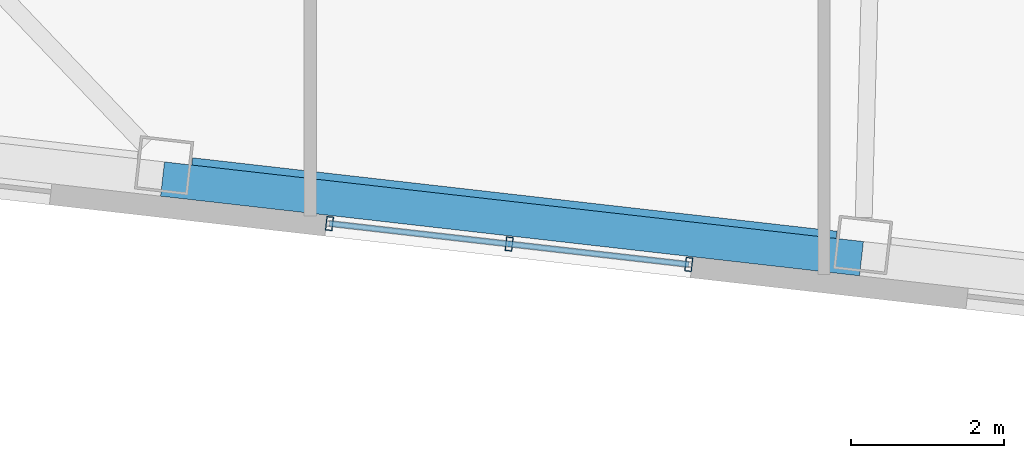
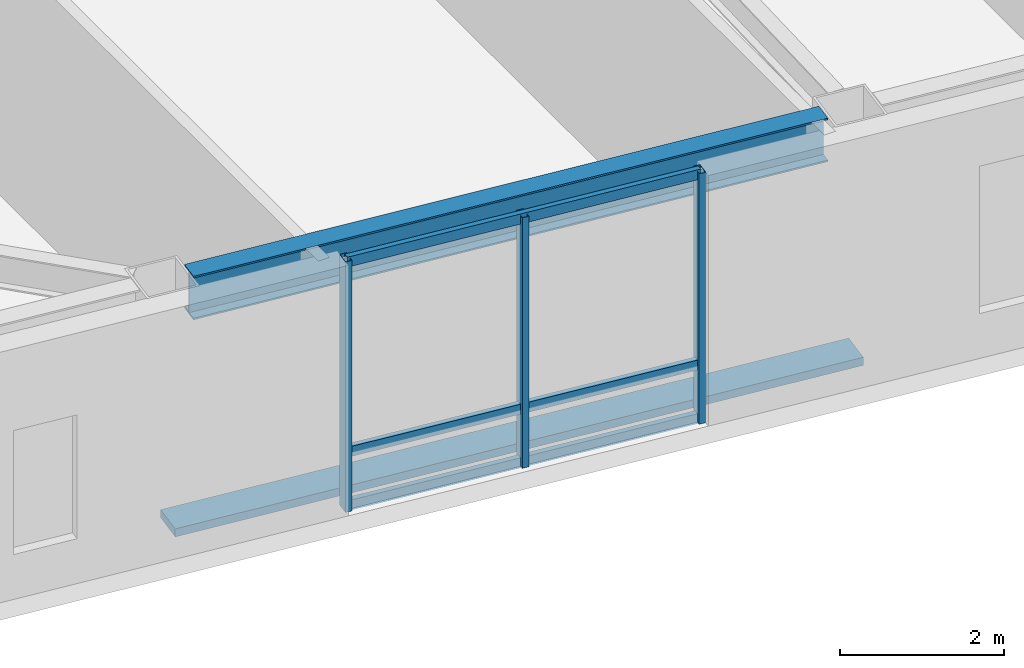
# One storey, part 2 of 21: 7 members, 1 beam, 1 element without a shape of its own.
"""IFC4 building model written with IfcOpenShell, lengths in metres."""

from ifc_helpers import new_model, si_unit, direction, frame, origin, origin_2d, place, context, subcontext, project, spatial, rectangle, hollow_rectangle, i_section, extrude, material, layer, layer_set, material_profile, profile_set, type_object, element, aggregate, save


model = new_model("IFC4")

# Units and contexts
model_context = context("Model", 3, precision=1e-05, world=origin(), true_north=direction((0.0, 1.0)))
body_context = subcontext(model_context, "Body", "Model", "MODEL_VIEW")
ifc_project = project(units=[si_unit("LENGTHUNIT", "METRE"), si_unit("AREAUNIT", "SQUARE_METRE"), si_unit("VOLUMEUNIT", "CUBIC_METRE"), si_unit("PLANEANGLEUNIT", "RADIAN"), si_unit("MASSUNIT", "GRAM", prefix="KILO")], contexts=[model_context])

# Site, building, storey
site_placement = place(None, origin())
site = spatial("IfcSite", under=ifc_project, at=site_placement, CompositionType="ELEMENT")
building_placement = place(site_placement, origin())
building = spatial("IfcBuilding", under=site, at=building_placement, Name="Tavrogorsk Clinical Tower", CompositionType="ELEMENT")
storey_placement = place(building_placement, frame((0.0, 0.0, 133.39990234375)))
storey = spatial("IfcBuildingStorey", under=building, at=storey_placement, Name="L30", CompositionType="ELEMENT", Elevation=133.39990234375)

# Member
ifc_material_1 = material(Name="Anodised aluminium alloy AW-6063", Category="aluminium")
ifc_material_profile_1 = material_profile(ifc_material_1, rectangle(XDim=0.449951171875, YDim=0.1201171875, at=origin_2d()), Name="ALU-SUNSHADE-450x120")
ifc_profile_set_1 = profile_set([ifc_material_profile_1], Name="Anodised aluminium alloy AW-6063")
member_type_1 = type_object("IfcMemberType", Name="ChicagoSunshade_450x120", PredefinedType="USERDEFINED", material=ifc_profile_set_1)
member_1_placement = place(storey_placement, frame((-14.028076171875, -24.385498046875, 0.18017578125), z_axis=(0.993572654864, -0.113196199166, 0.0), x_axis=(0.113196199166, 0.993572654864, 0.0)))
element("IfcMember", 1, at=member_1_placement, inside=storey, type_object=member_type_1, Name="L30 South Aluminium Sunshade S3", ObjectType="SUNSHADE", PredefinedType="USERDEFINED", context=body_context, shape_type="SweptSolid", body=[
    extrude(rectangle(XDim=0.449951171875, YDim=0.1201171875, at=origin_2d()), origin(), (0.0, 0.0, 1.0), 9.17724609375),
])

# Curtain wall, members
ifc_material_2 = material(Name="Anodised aluminium and triple IGU glazing", Category="aluminium")
ifc_layer = layer(ifc_material_2, 0.179931640625)
ifc_layer_set = layer_set([ifc_layer], Name="Anodised aluminium and triple IGU glazing")
curtain_wall_type = type_object("IfcCurtainWallType", Name="CW3_SouthSlot", PredefinedType="NOTDEFINED", material=ifc_layer_set)
curtain_wall_placement = place(storey_placement, origin())
curtain_wall = element("IfcCurtainWall", 2, at=curtain_wall_placement, inside=storey, type_object=curtain_wall_type, Name="L30 Curtain Wall CW-L30-S-SLOT-1", PredefinedType="NOTDEFINED")
ifc_material_3 = material(Name="Anodised aluminium alloy AW-6060", Category="aluminium")
ifc_material_profile_2 = material_profile(ifc_material_3, hollow_rectangle(XDim=0.090087890625, YDim=0.179931640625, WallThickness=0.00634765625, at=origin_2d()), Name="RHS-180x90x6.3")
ifc_profile_set_2 = profile_set([ifc_material_profile_2], Name="Anodised aluminium alloy AW-6060")
member_type_2 = type_object("IfcMemberType", Name="CwMullion_180x90", PredefinedType="MULLION", material=ifc_profile_set_2)
member_2_placement = place(storey_placement, frame((-11.850341796875, -24.9658203125, 0.0), z_axis=(0.0, 0.0, 1.0), x_axis=(0.993571855603, -0.11320321441, 0.0)))
member_2 = element("IfcMember", 3, at=member_2_placement, type_object=member_type_2, Name="CW-L30-S-SLOT-1 Mullion 1", PredefinedType="MULLION", context=body_context, shape_type="SweptSolid", body=[
    extrude(hollow_rectangle(XDim=0.090087890625, YDim=0.179931640625, WallThickness=0.00634765625, at=origin_2d()), origin(), (0.0, 0.0, 1.0), 3.739990234375),
])
member_3_placement = place(storey_placement, frame((-9.50634765625, -25.23291015625, 0.0), z_axis=(0.0, 0.0, 1.0), x_axis=(0.993571855603, -0.11320321441, 0.0)))
member_3 = element("IfcMember", 4, at=member_3_placement, type_object=member_type_2, Name="CW-L30-S-SLOT-1 Mullion 2", PredefinedType="MULLION", context=body_context, shape_type="SweptSolid", body=[
    extrude(hollow_rectangle(XDim=0.090087890625, YDim=0.179931640625, WallThickness=0.00634765625, at=origin_2d()), origin(), (0.0, 0.0, 1.0), 3.739990234375),
])
member_4_placement = place(storey_placement, frame((-7.16259765625, -25.499755859375, 0.0), z_axis=(0.0, 0.0, 1.0), x_axis=(0.993571855603, -0.11320321441, 0.0)))
member_4 = element("IfcMember", 5, at=member_4_placement, type_object=member_type_2, Name="CW-L30-S-SLOT-1 Mullion 3", PredefinedType="MULLION", context=body_context, shape_type="SweptSolid", body=[
    extrude(hollow_rectangle(XDim=0.090087890625, YDim=0.179931640625, WallThickness=0.00634765625, at=origin_2d()), origin(), (0.0, 0.0, 1.0), 3.739990234375),
])
ifc_material_4 = material(Name="Anodised aluminium alloy AW-6060", Category="aluminium")
ifc_material_profile_3 = material_profile(ifc_material_4, hollow_rectangle(XDim=0.074951171875, YDim=0.14990234375, WallThickness=0.0048828125, at=origin_2d()), Name="RHS-150x75x5")
ifc_profile_set_3 = profile_set([ifc_material_profile_3], Name="Anodised aluminium alloy AW-6060")
member_type_3 = type_object("IfcMemberType", Name="CwTransom_150x75", PredefinedType="USERDEFINED", material=ifc_profile_set_3)
member_5_placement = place(storey_placement, frame((-11.850341796875, -24.9658203125, 0.050048828125), z_axis=(0.993575798904, -0.113168599146, 0.0), x_axis=(0.113168599146, 0.993575798904, 0.0)))
member_5 = element("IfcMember", 6, at=member_5_placement, type_object=member_type_3, Name="CW-L30-S-SLOT-1 Transom 1", ObjectType="TRANSOM", PredefinedType="USERDEFINED", context=body_context, shape_type="SweptSolid", body=[
    extrude(hollow_rectangle(XDim=0.074951171875, YDim=0.14990234375, WallThickness=0.0048828125, at=origin_2d()), origin(), (0.0, 0.0, 1.0), 4.718017578125),
])
member_6_placement = place(storey_placement, frame((-11.850341796875, -24.9658203125, 0.85009765625), z_axis=(0.993575798904, -0.113168599146, 0.0), x_axis=(0.113168599146, 0.993575798904, 0.0)))
member_6 = element("IfcMember", 7, at=member_6_placement, type_object=member_type_3, Name="CW-L30-S-SLOT-1 Transom 2", ObjectType="TRANSOM", PredefinedType="USERDEFINED", context=body_context, shape_type="SweptSolid", body=[
    extrude(hollow_rectangle(XDim=0.074951171875, YDim=0.14990234375, WallThickness=0.0048828125, at=origin_2d()), origin(), (0.0, 0.0, 1.0), 4.718017578125),
])
member_7_placement = place(storey_placement, frame((-11.850341796875, -24.9658203125, 3.690185546875), z_axis=(0.993575798904, -0.113168599146, 0.0), x_axis=(0.113168599146, 0.993575798904, 0.0)))
member_7 = element("IfcMember", 8, at=member_7_placement, type_object=member_type_3, Name="CW-L30-S-SLOT-1 Transom 3", ObjectType="TRANSOM", PredefinedType="USERDEFINED", context=body_context, shape_type="SweptSolid", body=[
    extrude(hollow_rectangle(XDim=0.074951171875, YDim=0.14990234375, WallThickness=0.0048828125, at=origin_2d()), origin(), (0.0, 0.0, 1.0), 4.718017578125),
])
aggregate(curtain_wall, [member_2, member_3, member_4, member_5, member_6, member_7])

# Beam
ifc_material_5 = material(Name="Structural steel S390", Category="steel")
ifc_material_profile_4 = material_profile(ifc_material_5, i_section(OverallWidth=0.280029296875, OverallDepth=0.64990234375, WebThickness=0.01611328125, FlangeThickness=0.02490234375, at=origin_2d()), Name="B-650x280x16x25")
ifc_profile_set_4 = profile_set([ifc_material_profile_4], Name="Structural steel S390")
beam_type = type_object("IfcBeamType", Name="SpandrelBeam_B650", PredefinedType="SPANDREL", material=ifc_profile_set_4)
beam_placement = place(storey_placement, frame((-13.652099609375, -24.2470703125, 3.4150390625), z_axis=(0.993569449752, -0.113224328304, 0.0), x_axis=(0.113224328304, 0.993569449752, 0.0)))
element("IfcBeam", 9, at=beam_placement, inside=storey, type_object=beam_type, Name="L30 Perimeter Spandrel S3-S4", PredefinedType="SPANDREL", context=body_context, shape_type="SweptSolid", body=[
    extrude(i_section(OverallWidth=0.280029296875, OverallDepth=0.64990234375, WebThickness=0.01611328125, FlangeThickness=0.02490234375, at=origin_2d()), origin(), (0.0, 0.0, 1.0), 8.461181640625),
])

save(model, "model.ifc")
